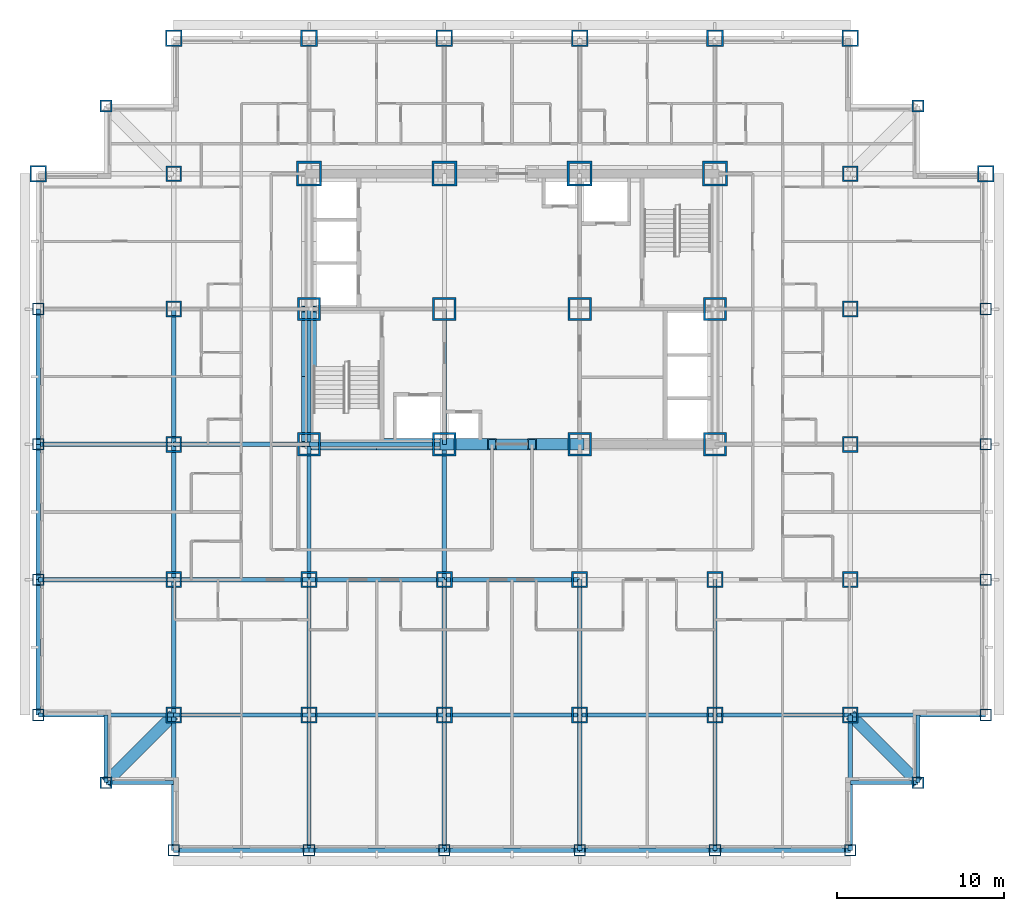
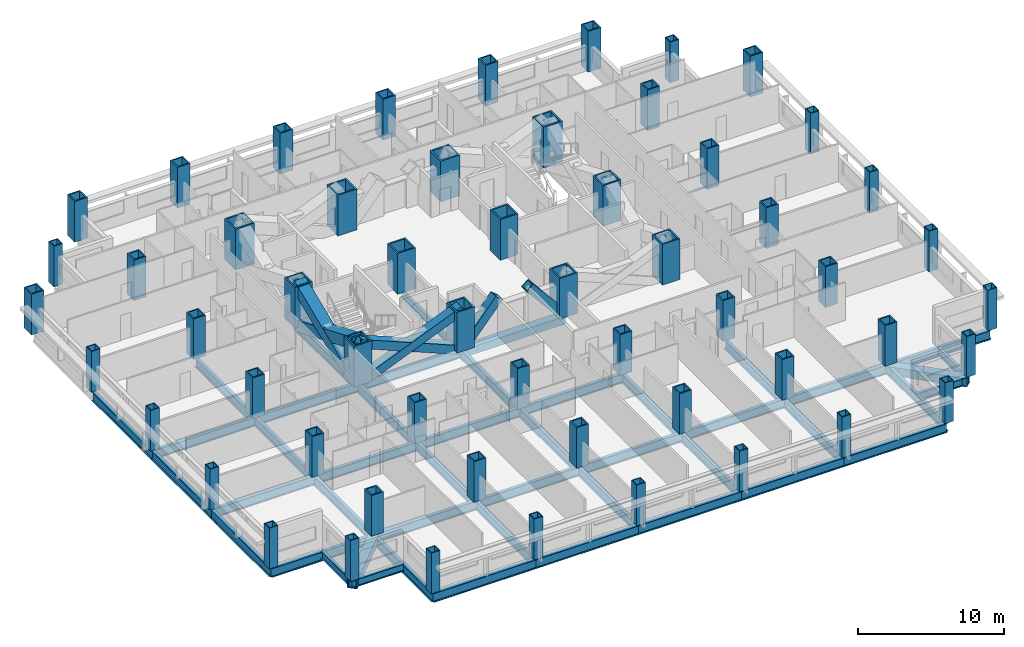
# One storey, part 1 of 12: 56 columns, 46 beams, 6 members.
"""IFC4 building model written with IfcOpenShell, lengths in metres."""

from ifc_helpers import new_model, si_unit, direction, frame, origin, origin_2d, place, context, subcontext, project, spatial, hollow_rectangle, i_section, extrude, material, material_profile, profile_set, type_object, element, save


model = new_model("IFC4")

# Units and contexts
model_context = context("Model", 3, precision=1e-05, world=origin(), true_north=direction((0.0, 1.0)))
body_context = subcontext(model_context, "Body", "Model", "MODEL_VIEW")
ifc_project = project(units=[si_unit("LENGTHUNIT", "METRE"), si_unit("AREAUNIT", "SQUARE_METRE"), si_unit("VOLUMEUNIT", "CUBIC_METRE"), si_unit("PLANEANGLEUNIT", "RADIAN"), si_unit("MASSUNIT", "GRAM", prefix="KILO")], contexts=[model_context])

# Site, building, storey
site_placement = place(None, origin())
site = spatial("IfcSite", under=ifc_project, at=site_placement, CompositionType="ELEMENT")
building_placement = place(site_placement, origin())
building = spatial("IfcBuilding", under=site, at=building_placement, Name="Kopane Lantern Tower", CompositionType="ELEMENT")
storey_placement = place(building_placement, frame((0.0, 0.0, 87.39990234375)))
storey = spatial("IfcBuildingStorey", under=building, at=storey_placement, Name="L22", CompositionType="ELEMENT", Elevation=87.39990234375)

# Columns
ifc_material_1 = material(Name="Steel S355JR", Category="steel")
ifc_material_profile_1 = material_profile(ifc_material_1, hollow_rectangle(XDim=1.0, YDim=1.0, WallThickness=0.10009765625, at=origin_2d()), Name="BOX 1000x1000x100")
ifc_profile_set_1 = profile_set([ifc_material_profile_1], Name="Steel S355JR")
column_type_1 = type_object("IfcColumnType", Name="COLUMN BOX 1000x1000x100", PredefinedType="COLUMN", material=ifc_profile_set_1)
for number, where, z_axis, x_axis, name in (
    (1, (0.0, 40.5, 0.0), (0.0, 0.0, 1.0), (1.0, 0.0, 0.0), "Column 2/G L22"),
    (2, (8.10009765625, 48.60009765625, 0.0), (0.0, 0.0, 1.0), (1.0, 0.0, 0.0), "Column 3/H L22"),
    (3, (16.199951171875, 48.60009765625, 0.0), (0.0, 0.0, 1.0), (1.0, 0.0, 0.0), "Column 4/H L22"),
    (4, (24.300048828125, 48.60009765625, 0.0), (0.0, 0.0, 1.0), (1.0, 0.0, 0.0), "Column 5/H L22"),
    (5, (32.39990234375, 48.60009765625, 0.0), (0.0, 0.0, 1.0), (1.0, 0.0, 0.0), "Column 6/H L22"),
    (6, (40.5, 48.60009765625, 0.0), (0.0, 0.0, 1.0), (1.0, 0.0, 0.0), "Column 7/H L22"),
    (7, (48.60009765625, 48.60009765625, 0.0), (0.0, 0.0, 1.0), (1.0, 0.0, 0.0), "Column 8/H L22"),
    (8, (56.699951171875, 40.5, 0.0), (0.0, 0.0, 1.0), (1.0, 0.0, 0.0), "Column 9/G L22"),
):
    element("IfcColumn", number, at=place(storey_placement, frame(where, z_axis=z_axis, x_axis=x_axis)), inside=storey, type_object=column_type_1, Name=name, PredefinedType="COLUMN", context=body_context, shape_type="SweptSolid", body=[
        extrude(hollow_rectangle(XDim=1.0, YDim=1.0, WallThickness=0.10009765625, at=origin_2d()), origin(), (0.0, 0.0, 1.0), 3.400146484375),
    ])
ifc_material_2 = material(Name="Steel S355JR", Category="steel")
ifc_material_profile_2 = material_profile(ifc_material_2, hollow_rectangle(XDim=1.39990234375, YDim=1.39990234375, WallThickness=0.1201171875, at=origin_2d()), Name="BOX 1400x1400x120")
ifc_profile_set_2 = profile_set([ifc_material_profile_2], Name="Steel S355JR")
column_type_2 = type_object("IfcColumnType", Name="COLUMN BOX 1400x1400x120", PredefinedType="COLUMN", material=ifc_profile_set_2)
for number, where, z_axis, x_axis, name in (
    (9, (16.199951171875, 24.300048828125, 0.0), (0.0, 0.0, 1.0), (1.0, 0.0, 0.0), "Column 4/E L22"),
    (10, (16.199951171875, 32.39990234375, 0.0), (0.0, 0.0, 1.0), (1.0, 0.0, 0.0), "Column 4/F L22"),
    (11, (24.300048828125, 24.300048828125, 0.0), (0.0, 0.0, 1.0), (1.0, 0.0, 0.0), "Column 5/E L22"),
    (12, (24.300048828125, 32.39990234375, 0.0), (0.0, 0.0, 1.0), (1.0, 0.0, 0.0), "Column 5/F L22"),
    (13, (32.39990234375, 24.300048828125, 0.0), (0.0, 0.0, 1.0), (1.0, 0.0, 0.0), "Column 6/E L22"),
    (14, (32.39990234375, 32.39990234375, 0.0), (0.0, 0.0, 1.0), (1.0, 0.0, 0.0), "Column 6/F L22"),
    (15, (40.5, 24.300048828125, 0.0), (0.0, 0.0, 1.0), (1.0, 0.0, 0.0), "Column 7/E L22"),
    (16, (40.5, 32.39990234375, 0.0), (0.0, 0.0, 1.0), (1.0, 0.0, 0.0), "Column 7/F L22"),
):
    element("IfcColumn", number, at=place(storey_placement, frame(where, z_axis=z_axis, x_axis=x_axis)), inside=storey, type_object=column_type_2, Name=name, PredefinedType="COLUMN", context=body_context, shape_type="SweptSolid", body=[
        extrude(hollow_rectangle(XDim=1.39990234375, YDim=1.39990234375, WallThickness=0.1201171875, at=origin_2d()), origin(), (0.0, 0.0, 1.0), 3.400146484375),
    ])
ifc_material_3 = material(Name="Steel S355JR", Category="steel")
ifc_material_profile_3 = material_profile(ifc_material_3, hollow_rectangle(XDim=1.5, YDim=1.5, WallThickness=0.1298828125, at=origin_2d()), Name="BOX 1500x1500x130")
ifc_profile_set_3 = profile_set([ifc_material_profile_3], Name="Steel S355JR")
column_type_3 = type_object("IfcColumnType", Name="COLUMN BOX 1500x1500x130", PredefinedType="COLUMN", material=ifc_profile_set_3)
for number, where, z_axis, x_axis, name in (
    (17, (16.199951171875, 40.5, 0.0), (0.0, 0.0, 1.0), (1.0, 0.0, 0.0), "Column 4/G L22"),
    (18, (24.300048828125, 40.5, 0.0), (0.0, 0.0, 1.0), (1.0, 0.0, 0.0), "Column 5/G L22"),
    (19, (32.39990234375, 40.5, 0.0), (0.0, 0.0, 1.0), (1.0, 0.0, 0.0), "Column 6/G L22"),
    (20, (40.5, 40.5, 0.0), (0.0, 0.0, 1.0), (1.0, 0.0, 0.0), "Column 7/G L22"),
):
    element("IfcColumn", number, at=place(storey_placement, frame(where, z_axis=z_axis, x_axis=x_axis)), inside=storey, type_object=column_type_3, Name=name, PredefinedType="COLUMN", context=body_context, shape_type="SweptSolid", body=[
        extrude(hollow_rectangle(XDim=1.5, YDim=1.5, WallThickness=0.1298828125, at=origin_2d()), origin(), (0.0, 0.0, 1.0), 3.400146484375),
    ])
ifc_material_4 = material(Name="Steel S355JR", Category="steel")
ifc_material_profile_4 = material_profile(ifc_material_4, hollow_rectangle(XDim=0.699951171875, YDim=0.699951171875, WallThickness=0.06005859375, at=origin_2d()), Name="BOX 700x700x60")
ifc_profile_set_4 = profile_set([ifc_material_profile_4], Name="Steel S355JR")
column_type_4 = type_object("IfcColumnType", Name="COLUMN BOX 700x700x60", PredefinedType="COLUMN", material=ifc_profile_set_4)
for number, where, z_axis, x_axis, name in (
    (21, (0.0, 8.10009765625, 0.0), (0.0, 0.0, 1.0), (1.0, 0.0, 0.0), "Column 2/C L22"),
    (22, (0.0, 16.199951171875, 0.0), (0.0, 0.0, 1.0), (1.0, 0.0, 0.0), "Column 2/D L22"),
    (23, (0.0, 24.300048828125, 0.0), (0.0, 0.0, 1.0), (1.0, 0.0, 0.0), "Column 2/E L22"),
    (24, (0.0, 32.39990234375, 0.0), (0.0, 0.0, 1.0), (1.0, 0.0, 0.0), "Column 2/F L22"),
    (25, (8.10009765625, 0.0, 0.0), (0.0, 0.0, 1.0), (1.0, 0.0, 0.0), "Column 3/B L22"),
    (26, (16.199951171875, 0.0, 0.0), (0.0, 0.0, 1.0), (1.0, 0.0, 0.0), "Column 4/B L22"),
    (27, (24.300048828125, 0.0, 0.0), (0.0, 0.0, 1.0), (1.0, 0.0, 0.0), "Column 5/B L22"),
    (28, (32.39990234375, 0.0, 0.0), (0.0, 0.0, 1.0), (1.0, 0.0, 0.0), "Column 6/B L22"),
    (29, (40.5, 0.0, 0.0), (0.0, 0.0, 1.0), (1.0, 0.0, 0.0), "Column 7/B L22"),
    (30, (48.60009765625, 0.0, 0.0), (0.0, 0.0, 1.0), (1.0, 0.0, 0.0), "Column 8/B L22"),
    (31, (56.699951171875, 8.10009765625, 0.0), (0.0, 0.0, 1.0), (1.0, 0.0, 0.0), "Column 9/C L22"),
    (32, (56.699951171875, 16.199951171875, 0.0), (0.0, 0.0, 1.0), (1.0, 0.0, 0.0), "Column 9/D L22"),
    (33, (56.699951171875, 24.300048828125, 0.0), (0.0, 0.0, 1.0), (1.0, 0.0, 0.0), "Column 9/E L22"),
    (34, (56.699951171875, 32.39990234375, 0.0), (0.0, 0.0, 1.0), (1.0, 0.0, 0.0), "Column 9/F L22"),
):
    element("IfcColumn", number, at=place(storey_placement, frame(where, z_axis=z_axis, x_axis=x_axis)), inside=storey, type_object=column_type_4, Name=name, PredefinedType="COLUMN", context=body_context, shape_type="SweptSolid", body=[
        extrude(hollow_rectangle(XDim=0.699951171875, YDim=0.699951171875, WallThickness=0.06005859375, at=origin_2d()), origin(), (0.0, 0.0, 1.0), 3.400146484375),
    ])
ifc_material_5 = material(Name="Steel S355JR", Category="steel")
ifc_material_profile_5 = material_profile(ifc_material_5, hollow_rectangle(XDim=0.699951171875, YDim=0.699951171875, WallThickness=0.070068359375, at=origin_2d()), Name="BOX 700x700x70")
ifc_profile_set_5 = profile_set([ifc_material_profile_5], Name="Steel S355JR")
column_type_5 = type_object("IfcColumnType", Name="COLUMN BOX 700x700x70", PredefinedType="COLUMN", material=ifc_profile_set_5)
for number, where, z_axis, x_axis, name in (
    (35, (4.050048828125, 4.050048828125, 0.0), (0.0, 0.0, 1.0), (1.0, 0.0, 0.0), "Column 4.05/4.05 L22"),
    (36, (4.050048828125, 44.550048828125, 0.0), (0.0, 0.0, 1.0), (1.0, 0.0, 0.0), "Column 4.05/44.55 L22"),
    (37, (52.64990234375, 4.050048828125, 0.0), (0.0, 0.0, 1.0), (1.0, 0.0, 0.0), "Column 52.65/4.05 L22"),
    (38, (52.64990234375, 44.550048828125, 0.0), (0.0, 0.0, 1.0), (1.0, 0.0, 0.0), "Column 52.65/44.55 L22"),
):
    element("IfcColumn", number, at=place(storey_placement, frame(where, z_axis=z_axis, x_axis=x_axis)), inside=storey, type_object=column_type_5, Name=name, PredefinedType="COLUMN", context=body_context, shape_type="SweptSolid", body=[
        extrude(hollow_rectangle(XDim=0.699951171875, YDim=0.699951171875, WallThickness=0.070068359375, at=origin_2d()), origin(), (0.0, 0.0, 1.0), 3.400146484375),
    ])
ifc_material_6 = material(Name="Steel S355JR", Category="steel")
ifc_material_profile_6 = material_profile(ifc_material_6, hollow_rectangle(XDim=0.949951171875, YDim=0.949951171875, WallThickness=0.094970703125, at=origin_2d()), Name="BOX 950x950x95")
ifc_profile_set_6 = profile_set([ifc_material_profile_6], Name="Steel S355JR")
column_type_6 = type_object("IfcColumnType", Name="COLUMN BOX 950x950x95", PredefinedType="COLUMN", material=ifc_profile_set_6)
for number, where, z_axis, x_axis, name in (
    (39, (8.10009765625, 8.10009765625, 0.0), (0.0, 0.0, 1.0), (1.0, 0.0, 0.0), "Column 3/C L22"),
    (40, (8.10009765625, 16.199951171875, 0.0), (0.0, 0.0, 1.0), (1.0, 0.0, 0.0), "Column 3/D L22"),
    (41, (8.10009765625, 24.300048828125, 0.0), (0.0, 0.0, 1.0), (1.0, 0.0, 0.0), "Column 3/E L22"),
    (42, (8.10009765625, 32.39990234375, 0.0), (0.0, 0.0, 1.0), (1.0, 0.0, 0.0), "Column 3/F L22"),
    (43, (8.10009765625, 40.5, 0.0), (0.0, 0.0, 1.0), (1.0, 0.0, 0.0), "Column 3/G L22"),
    (44, (16.199951171875, 8.10009765625, 0.0), (0.0, 0.0, 1.0), (1.0, 0.0, 0.0), "Column 4/C L22"),
    (45, (16.199951171875, 16.199951171875, 0.0), (0.0, 0.0, 1.0), (1.0, 0.0, 0.0), "Column 4/D L22"),
    (46, (24.300048828125, 8.10009765625, 0.0), (0.0, 0.0, 1.0), (1.0, 0.0, 0.0), "Column 5/C L22"),
    (47, (24.300048828125, 16.199951171875, 0.0), (0.0, 0.0, 1.0), (1.0, 0.0, 0.0), "Column 5/D L22"),
    (48, (32.39990234375, 8.10009765625, 0.0), (0.0, 0.0, 1.0), (1.0, 0.0, 0.0), "Column 6/C L22"),
    (49, (32.39990234375, 16.199951171875, 0.0), (0.0, 0.0, 1.0), (1.0, 0.0, 0.0), "Column 6/D L22"),
    (50, (40.5, 8.10009765625, 0.0), (0.0, 0.0, 1.0), (1.0, 0.0, 0.0), "Column 7/C L22"),
    (51, (40.5, 16.199951171875, 0.0), (0.0, 0.0, 1.0), (1.0, 0.0, 0.0), "Column 7/D L22"),
    (52, (48.60009765625, 8.10009765625, 0.0), (0.0, 0.0, 1.0), (1.0, 0.0, 0.0), "Column 8/C L22"),
    (53, (48.60009765625, 16.199951171875, 0.0), (0.0, 0.0, 1.0), (1.0, 0.0, 0.0), "Column 8/D L22"),
    (54, (48.60009765625, 24.300048828125, 0.0), (0.0, 0.0, 1.0), (1.0, 0.0, 0.0), "Column 8/E L22"),
    (55, (48.60009765625, 32.39990234375, 0.0), (0.0, 0.0, 1.0), (1.0, 0.0, 0.0), "Column 8/F L22"),
    (56, (48.60009765625, 40.5, 0.0), (0.0, 0.0, 1.0), (1.0, 0.0, 0.0), "Column 8/G L22"),
):
    element("IfcColumn", number, at=place(storey_placement, frame(where, z_axis=z_axis, x_axis=x_axis)), inside=storey, type_object=column_type_6, Name=name, PredefinedType="COLUMN", context=body_context, shape_type="SweptSolid", body=[
        extrude(hollow_rectangle(XDim=0.949951171875, YDim=0.949951171875, WallThickness=0.094970703125, at=origin_2d()), origin(), (0.0, 0.0, 1.0), 3.400146484375),
    ])

# Members
ifc_material_7 = material(Name="Steel S355JR", Category="steel")
ifc_material_profile_7 = material_profile(ifc_material_7, hollow_rectangle(XDim=0.699951171875, YDim=0.699951171875, WallThickness=0.06005859375, at=origin_2d()), Name="BOX 700x700x60")
ifc_profile_set_7 = profile_set([ifc_material_profile_7], Name="Steel S355JR")
member_type_1 = type_object("IfcMemberType", Name="BRACE BOX 700x700x60", PredefinedType="BRACE", material=ifc_profile_set_7)
for number, where, z_axis, x_axis, name in (
    (57, (16.199951171875, 24.300048828125, -0.2099609375), (0.923680358627, 0.0, 0.383163927174), (0.0, 1.0, 0.0), "Core brace L22"),
    (58, (24.300048828125, 24.300048828125, -0.2099609375), (-0.923680358627, 0.0, 0.383163927174), (0.0, -1.0, 0.0), "Core brace L22"),
):
    element("IfcMember", number, at=place(storey_placement, frame(where, z_axis=z_axis, x_axis=x_axis)), inside=storey, type_object=member_type_1, Name=name, PredefinedType="BRACE", context=body_context, shape_type="SweptSolid", body=[
        extrude(hollow_rectangle(XDim=0.699951171875, YDim=0.699951171875, WallThickness=0.06005859375, at=origin_2d()), origin(), (0.0, 0.0, 1.0), 8.769287109375),
    ])
for number, where, z_axis, x_axis, name in (
    (59, (24.300048828125, 24.300048828125, -0.2099609375), (0.646826109676, 0.0, 0.762637517987), (0.0, 1.0, 0.0), "Core brace L22"),
    (60, (32.39990234375, 24.300048828125, -0.2099609375), (-0.646826109676, 0.0, 0.762637517987), (0.0, -1.0, 0.0), "Core brace L22"),
):
    element("IfcMember", number, at=place(storey_placement, frame(where, z_axis=z_axis, x_axis=x_axis)), inside=storey, type_object=member_type_1, Name=name, PredefinedType="BRACE", context=body_context, shape_type="SweptSolid", body=[
        extrude(hollow_rectangle(XDim=0.699951171875, YDim=0.699951171875, WallThickness=0.06005859375, at=origin_2d()), origin(), (0.0, 0.0, 1.0), 4.406005859375),
    ])
ifc_material_8 = material(Name="Steel S355JR", Category="steel")
ifc_material_profile_8 = material_profile(ifc_material_8, hollow_rectangle(XDim=0.89990234375, YDim=0.89990234375, WallThickness=0.090087890625, at=origin_2d()), Name="BOX 900x900x90")
ifc_profile_set_8 = profile_set([ifc_material_profile_8], Name="Steel S355JR")
member_type_2 = type_object("IfcMemberType", Name="BRACE BOX 900x900x90", PredefinedType="BRACE", material=ifc_profile_set_8)
for number, where, z_axis, x_axis, name in (
    (61, (16.199951171875, 24.300048828125, -0.2099609375), (0.0, 0.923676271129, 0.383173780618), (-1.0, 0.0, 0.0), "Core brace L22"),
    (62, (16.199951171875, 32.39990234375, -0.2099609375), (0.0, -0.923676271129, 0.383173780618), (1.0, 0.0, 0.0), "Core brace L22"),
):
    element("IfcMember", number, at=place(storey_placement, frame(where, z_axis=z_axis, x_axis=x_axis)), inside=storey, type_object=member_type_2, Name=name, PredefinedType="BRACE", context=body_context, shape_type="SweptSolid", body=[
        extrude(hollow_rectangle(XDim=0.89990234375, YDim=0.89990234375, WallThickness=0.090087890625, at=origin_2d()), origin(), (0.0, 0.0, 1.0), 8.76904296875),
    ])

# Beams
ifc_material_9 = material(Name="Steel S355JR", Category="steel")
ifc_material_profile_9 = material_profile(ifc_material_9, i_section(OverallWidth=0.22900390625, OverallDepth=0.6123046875, WebThickness=0.011962890625, FlangeThickness=0.01953125, FilletRadius=0.0126953125, at=origin_2d()), Name="UB 610x229x125")
ifc_profile_set_9 = profile_set([ifc_material_profile_9], Name="Steel S355JR")
beam_type_1 = type_object("IfcBeamType", Name="CORE BEAM UB 610x229x125", PredefinedType="BEAM", material=ifc_profile_set_9)
beam_1_placement = place(storey_placement, frame((24.300048828125, 24.300048828125, -0.51611328125), z_axis=(0.0, 1.0, 0.0), x_axis=(-1.0, 0.0, 0.0)))
element("IfcBeam", 63, at=beam_1_placement, inside=storey, type_object=beam_type_1, Name="Core Beam L22", PredefinedType="BEAM", context=body_context, shape_type="SweptSolid", body=[
    extrude(i_section(OverallWidth=0.22900390625, OverallDepth=0.6123046875, WebThickness=0.011962890625, FlangeThickness=0.01953125, FilletRadius=0.0126953125, at=origin_2d()), origin(), (0.0, 0.0, 1.0), 8.099853515625),
])
ifc_material_10 = material(Name="Steel S355JR", Category="steel")
ifc_material_profile_10 = material_profile(ifc_material_10, hollow_rectangle(XDim=0.699951171875, YDim=0.699951171875, WallThickness=0.06005859375, at=origin_2d()), Name="BOX 700x700x60")
ifc_profile_set_10 = profile_set([ifc_material_profile_10], Name="Steel S355JR")
beam_type_2 = type_object("IfcBeamType", Name="CORNER TIE BEAM BOX 700x700x60", PredefinedType="BEAM", material=ifc_profile_set_10)
for number, where, z_axis, x_axis, name in (
    (64, (4.050048828125, 4.050048828125, -0.559814453125), (0.707106781187, 0.707106781187, 0.0), (-0.707106781187, 0.707106781187, 0.0), "Corner Tie Beam L22"),
    (65, (52.64990234375, 4.050048828125, -0.559814453125), (-0.707085467703, 0.707128094028, 0.0), (-0.707128094028, -0.707085467703, 0.0), "Corner Tie Beam L22"),
):
    element("IfcBeam", number, at=place(storey_placement, frame(where, z_axis=z_axis, x_axis=x_axis)), inside=storey, type_object=beam_type_2, Name=name, PredefinedType="BEAM", context=body_context, shape_type="SweptSolid", body=[
        extrude(hollow_rectangle(XDim=0.699951171875, YDim=0.699951171875, WallThickness=0.06005859375, at=origin_2d()), origin(), (0.0, 0.0, 1.0), 5.7275390625),
    ])
ifc_material_11 = material(Name="Steel S355JR", Category="steel")
ifc_material_profile_11 = material_profile(ifc_material_11, i_section(OverallWidth=0.22900390625, OverallDepth=0.6123046875, WebThickness=0.011962890625, FlangeThickness=0.01953125, FilletRadius=0.0126953125, at=origin_2d()), Name="UB 610x229x125")
ifc_profile_set_11 = profile_set([ifc_material_profile_11], Name="Steel S355JR")
beam_type_3 = type_object("IfcBeamType", Name="EDGE BEAM UB 610x229x125", PredefinedType="BEAM", material=ifc_profile_set_11)
for number, where, z_axis, x_axis, name in (
    (66, (4.050048828125, 4.050048828125, -0.51611328125), (0.0, 1.0, 0.0), (-1.0, 0.0, 0.0), "Edge Beam L22"),
    (67, (4.050048828125, 4.050048828125, -0.51611328125), (1.0, 0.0, 0.0), (0.0, 1.0, 0.0), "Edge Beam L22"),
):
    element("IfcBeam", number, at=place(storey_placement, frame(where, z_axis=z_axis, x_axis=x_axis)), inside=storey, type_object=beam_type_3, Name=name, PredefinedType="BEAM", context=body_context, shape_type="SweptSolid", body=[
        extrude(i_section(OverallWidth=0.22900390625, OverallDepth=0.6123046875, WebThickness=0.011962890625, FlangeThickness=0.01953125, FilletRadius=0.0126953125, at=origin_2d()), origin(), (0.0, 0.0, 1.0), 4.050048828125),
    ])
beam_2_placement = place(storey_placement, frame((52.64990234375, 4.050048828125, -0.51611328125), z_axis=(-1.0, 0.0, 0.0), x_axis=(0.0, -1.0, 0.0)))
element("IfcBeam", 68, at=beam_2_placement, inside=storey, type_object=beam_type_3, Name="Edge Beam L22", PredefinedType="BEAM", context=body_context, shape_type="SweptSolid", body=[
    extrude(i_section(OverallWidth=0.22900390625, OverallDepth=0.6123046875, WebThickness=0.011962890625, FlangeThickness=0.01953125, FilletRadius=0.0126953125, at=origin_2d()), origin(), (0.0, 0.0, 1.0), 4.0498046875),
])
beam_3_placement = place(storey_placement, frame((52.64990234375, 4.050048828125, -0.51611328125), z_axis=(0.0, 1.0, 0.0), x_axis=(-1.0, 0.0, 0.0)))
element("IfcBeam", 69, at=beam_3_placement, inside=storey, type_object=beam_type_3, Name="Edge Beam L22", PredefinedType="BEAM", context=body_context, shape_type="SweptSolid", body=[
    extrude(i_section(OverallWidth=0.22900390625, OverallDepth=0.6123046875, WebThickness=0.011962890625, FlangeThickness=0.01953125, FilletRadius=0.0126953125, at=origin_2d()), origin(), (0.0, 0.0, 1.0), 4.050048828125),
])
ifc_material_12 = material(Name="Steel S355JR", Category="steel")
ifc_material_profile_12 = material_profile(ifc_material_12, i_section(OverallWidth=0.2666015625, OverallDepth=0.76220703125, WebThickness=0.014404296875, FlangeThickness=0.021484375, FilletRadius=0.0166015625, at=origin_2d()), Name="UB 762x267x173")
ifc_profile_set_12 = profile_set([ifc_material_profile_12], Name="Steel S355JR")
beam_type_4 = type_object("IfcBeamType", Name="GIRDER UB 762x267x173", PredefinedType="BEAM", material=ifc_profile_set_12)
beam_4_placement = place(storey_placement, frame((0.0, 8.10009765625, -0.591064453125), z_axis=(0.0, 1.0, 0.0), x_axis=(-1.0, 0.0, 0.0)))
element("IfcBeam", 70, at=beam_4_placement, inside=storey, type_object=beam_type_4, Name="Girder L22", PredefinedType="BEAM", context=body_context, shape_type="SweptSolid", body=[
    extrude(i_section(OverallWidth=0.2666015625, OverallDepth=0.76220703125, WebThickness=0.014404296875, FlangeThickness=0.021484375, FilletRadius=0.0166015625, at=origin_2d()), origin(), (0.0, 0.0, 1.0), 8.099853515625),
])
for number, where, z_axis, x_axis, name in (
    (71, (0.0, 8.10009765625, -0.591064453125), (1.0, 0.0, 0.0), (0.0, 1.0, 0.0), "Girder L22"),
    (72, (0.0, 16.199951171875, -0.591064453125), (0.0, 1.0, 0.0), (-1.0, 0.0, 0.0), "Girder L22"),
    (73, (0.0, 16.199951171875, -0.591064453125), (1.0, 0.0, 0.0), (0.0, 1.0, 0.0), "Girder L22"),
):
    element("IfcBeam", number, at=place(storey_placement, frame(where, z_axis=z_axis, x_axis=x_axis)), inside=storey, type_object=beam_type_4, Name=name, PredefinedType="BEAM", context=body_context, shape_type="SweptSolid", body=[
        extrude(i_section(OverallWidth=0.2666015625, OverallDepth=0.76220703125, WebThickness=0.014404296875, FlangeThickness=0.021484375, FilletRadius=0.0166015625, at=origin_2d()), origin(), (0.0, 0.0, 1.0), 8.10009765625),
    ])
beam_5_placement = place(storey_placement, frame((0.0, 24.300048828125, -0.591064453125), z_axis=(0.0, 1.0, 0.0), x_axis=(-1.0, 0.0, 0.0)))
element("IfcBeam", 74, at=beam_5_placement, inside=storey, type_object=beam_type_4, Name="Girder L22", PredefinedType="BEAM", context=body_context, shape_type="SweptSolid", body=[
    extrude(i_section(OverallWidth=0.2666015625, OverallDepth=0.76220703125, WebThickness=0.014404296875, FlangeThickness=0.021484375, FilletRadius=0.0166015625, at=origin_2d()), origin(), (0.0, 0.0, 1.0), 8.099853515625),
])
for number, where, z_axis, x_axis, name in (
    (75, (0.0, 24.300048828125, -0.591064453125), (1.0, 0.0, 0.0), (0.0, 1.0, 0.0), "Girder L22"),
    (76, (8.10009765625, 0.0, -0.591064453125), (0.0, 1.0, 0.0), (-1.0, 0.0, 0.0), "Girder L22"),
):
    element("IfcBeam", number, at=place(storey_placement, frame(where, z_axis=z_axis, x_axis=x_axis)), inside=storey, type_object=beam_type_4, Name=name, PredefinedType="BEAM", context=body_context, shape_type="SweptSolid", body=[
        extrude(i_section(OverallWidth=0.2666015625, OverallDepth=0.76220703125, WebThickness=0.014404296875, FlangeThickness=0.021484375, FilletRadius=0.0166015625, at=origin_2d()), origin(), (0.0, 0.0, 1.0), 8.10009765625),
    ])
for number, where, z_axis, x_axis, name in (
    (77, (8.10009765625, 0.0, -0.591064453125), (1.0, 0.0, 0.0), (0.0, 1.0, 0.0), "Girder L22"),
    (78, (8.10009765625, 8.10009765625, -0.591064453125), (0.0, 1.0, 0.0), (-1.0, 0.0, 0.0), "Girder L22"),
    (79, (8.10009765625, 8.10009765625, -0.591064453125), (1.0, 0.0, 0.0), (0.0, 1.0, 0.0), "Girder L22"),
):
    element("IfcBeam", number, at=place(storey_placement, frame(where, z_axis=z_axis, x_axis=x_axis)), inside=storey, type_object=beam_type_4, Name=name, PredefinedType="BEAM", context=body_context, shape_type="SweptSolid", body=[
        extrude(i_section(OverallWidth=0.2666015625, OverallDepth=0.76220703125, WebThickness=0.014404296875, FlangeThickness=0.021484375, FilletRadius=0.0166015625, at=origin_2d()), origin(), (0.0, 0.0, 1.0), 8.099853515625),
    ])
beam_6_placement = place(storey_placement, frame((8.10009765625, 16.199951171875, -0.591064453125), z_axis=(0.0, 1.0, 0.0), x_axis=(-1.0, 0.0, 0.0)))
element("IfcBeam", 80, at=beam_6_placement, inside=storey, type_object=beam_type_4, Name="Girder L22", PredefinedType="BEAM", context=body_context, shape_type="SweptSolid", body=[
    extrude(i_section(OverallWidth=0.2666015625, OverallDepth=0.76220703125, WebThickness=0.014404296875, FlangeThickness=0.021484375, FilletRadius=0.0166015625, at=origin_2d()), origin(), (0.0, 0.0, 1.0), 8.10009765625),
])
for number, where, z_axis, x_axis, name in (
    (81, (8.10009765625, 16.199951171875, -0.591064453125), (1.0, 0.0, 0.0), (0.0, 1.0, 0.0), "Girder L22"),
    (82, (8.10009765625, 24.300048828125, -0.591064453125), (0.0, 1.0, 0.0), (-1.0, 0.0, 0.0), "Girder L22"),
    (83, (8.10009765625, 24.300048828125, -0.591064453125), (1.0, 0.0, 0.0), (0.0, 1.0, 0.0), "Girder L22"),
):
    element("IfcBeam", number, at=place(storey_placement, frame(where, z_axis=z_axis, x_axis=x_axis)), inside=storey, type_object=beam_type_4, Name=name, PredefinedType="BEAM", context=body_context, shape_type="SweptSolid", body=[
        extrude(i_section(OverallWidth=0.2666015625, OverallDepth=0.76220703125, WebThickness=0.014404296875, FlangeThickness=0.021484375, FilletRadius=0.0166015625, at=origin_2d()), origin(), (0.0, 0.0, 1.0), 8.099853515625),
    ])
for number, where, z_axis, x_axis, name in (
    (84, (16.199951171875, 0.0, -0.591064453125), (0.0, 1.0, 0.0), (-1.0, 0.0, 0.0), "Girder L22"),
    (85, (16.199951171875, 0.0, -0.591064453125), (1.0, 0.0, 0.0), (0.0, 1.0, 0.0), "Girder L22"),
):
    element("IfcBeam", number, at=place(storey_placement, frame(where, z_axis=z_axis, x_axis=x_axis)), inside=storey, type_object=beam_type_4, Name=name, PredefinedType="BEAM", context=body_context, shape_type="SweptSolid", body=[
        extrude(i_section(OverallWidth=0.2666015625, OverallDepth=0.76220703125, WebThickness=0.014404296875, FlangeThickness=0.021484375, FilletRadius=0.0166015625, at=origin_2d()), origin(), (0.0, 0.0, 1.0), 8.10009765625),
    ])
beam_7_placement = place(storey_placement, frame((16.199951171875, 8.10009765625, -0.591064453125), z_axis=(0.0, 1.0, 0.0), x_axis=(-1.0, 0.0, 0.0)))
element("IfcBeam", 86, at=beam_7_placement, inside=storey, type_object=beam_type_4, Name="Girder L22", PredefinedType="BEAM", context=body_context, shape_type="SweptSolid", body=[
    extrude(i_section(OverallWidth=0.2666015625, OverallDepth=0.76220703125, WebThickness=0.014404296875, FlangeThickness=0.021484375, FilletRadius=0.0166015625, at=origin_2d()), origin(), (0.0, 0.0, 1.0), 8.099853515625),
])
for number, where, z_axis, x_axis, name in (
    (87, (16.199951171875, 8.10009765625, -0.591064453125), (1.0, 0.0, 0.0), (0.0, 1.0, 0.0), "Girder L22"),
    (88, (16.199951171875, 16.199951171875, -0.591064453125), (0.0, 1.0, 0.0), (-1.0, 0.0, 0.0), "Girder L22"),
    (89, (16.199951171875, 16.199951171875, -0.591064453125), (1.0, 0.0, 0.0), (0.0, 1.0, 0.0), "Girder L22"),
):
    element("IfcBeam", number, at=place(storey_placement, frame(where, z_axis=z_axis, x_axis=x_axis)), inside=storey, type_object=beam_type_4, Name=name, PredefinedType="BEAM", context=body_context, shape_type="SweptSolid", body=[
        extrude(i_section(OverallWidth=0.2666015625, OverallDepth=0.76220703125, WebThickness=0.014404296875, FlangeThickness=0.021484375, FilletRadius=0.0166015625, at=origin_2d()), origin(), (0.0, 0.0, 1.0), 8.10009765625),
    ])
beam_8_placement = place(storey_placement, frame((16.199951171875, 24.300048828125, -0.591064453125), z_axis=(0.0, 1.0, 0.0), x_axis=(-1.0, 0.0, 0.0)))
element("IfcBeam", 90, at=beam_8_placement, inside=storey, type_object=beam_type_4, Name="Girder L22", PredefinedType="BEAM", context=body_context, shape_type="SweptSolid", body=[
    extrude(i_section(OverallWidth=0.2666015625, OverallDepth=0.76220703125, WebThickness=0.014404296875, FlangeThickness=0.021484375, FilletRadius=0.0166015625, at=origin_2d()), origin(), (0.0, 0.0, 1.0), 8.099853515625),
])
for number, where, z_axis, x_axis, name in (
    (91, (16.199951171875, 24.300048828125, -0.591064453125), (1.0, 0.0, 0.0), (0.0, 1.0, 0.0), "Girder L22"),
    (92, (24.300048828125, 0.0, -0.591064453125), (0.0, 1.0, 0.0), (-1.0, 0.0, 0.0), "Girder L22"),
):
    element("IfcBeam", number, at=place(storey_placement, frame(where, z_axis=z_axis, x_axis=x_axis)), inside=storey, type_object=beam_type_4, Name=name, PredefinedType="BEAM", context=body_context, shape_type="SweptSolid", body=[
        extrude(i_section(OverallWidth=0.2666015625, OverallDepth=0.76220703125, WebThickness=0.014404296875, FlangeThickness=0.021484375, FilletRadius=0.0166015625, at=origin_2d()), origin(), (0.0, 0.0, 1.0), 8.10009765625),
    ])
for number, where, z_axis, x_axis, name in (
    (93, (24.300048828125, 0.0, -0.591064453125), (1.0, 0.0, 0.0), (0.0, 1.0, 0.0), "Girder L22"),
    (94, (24.300048828125, 8.10009765625, -0.591064453125), (0.0, 1.0, 0.0), (-1.0, 0.0, 0.0), "Girder L22"),
    (95, (24.300048828125, 8.10009765625, -0.591064453125), (1.0, 0.0, 0.0), (0.0, 1.0, 0.0), "Girder L22"),
):
    element("IfcBeam", number, at=place(storey_placement, frame(where, z_axis=z_axis, x_axis=x_axis)), inside=storey, type_object=beam_type_4, Name=name, PredefinedType="BEAM", context=body_context, shape_type="SweptSolid", body=[
        extrude(i_section(OverallWidth=0.2666015625, OverallDepth=0.76220703125, WebThickness=0.014404296875, FlangeThickness=0.021484375, FilletRadius=0.0166015625, at=origin_2d()), origin(), (0.0, 0.0, 1.0), 8.099853515625),
    ])
beam_9_placement = place(storey_placement, frame((24.300048828125, 16.199951171875, -0.591064453125), z_axis=(0.0, 1.0, 0.0), x_axis=(-1.0, 0.0, 0.0)))
element("IfcBeam", 96, at=beam_9_placement, inside=storey, type_object=beam_type_4, Name="Girder L22", PredefinedType="BEAM", context=body_context, shape_type="SweptSolid", body=[
    extrude(i_section(OverallWidth=0.2666015625, OverallDepth=0.76220703125, WebThickness=0.014404296875, FlangeThickness=0.021484375, FilletRadius=0.0166015625, at=origin_2d()), origin(), (0.0, 0.0, 1.0), 8.10009765625),
])
beam_10_placement = place(storey_placement, frame((24.300048828125, 16.199951171875, -0.591064453125), z_axis=(1.0, 0.0, 0.0), x_axis=(0.0, 1.0, 0.0)))
element("IfcBeam", 97, at=beam_10_placement, inside=storey, type_object=beam_type_4, Name="Girder L22", PredefinedType="BEAM", context=body_context, shape_type="SweptSolid", body=[
    extrude(i_section(OverallWidth=0.2666015625, OverallDepth=0.76220703125, WebThickness=0.014404296875, FlangeThickness=0.021484375, FilletRadius=0.0166015625, at=origin_2d()), origin(), (0.0, 0.0, 1.0), 8.099853515625),
])
for number, where, z_axis, x_axis, name in (
    (98, (32.39990234375, 0.0, -0.591064453125), (0.0, 1.0, 0.0), (-1.0, 0.0, 0.0), "Girder L22"),
    (99, (32.39990234375, 0.0, -0.591064453125), (1.0, 0.0, 0.0), (0.0, 1.0, 0.0), "Girder L22"),
):
    element("IfcBeam", number, at=place(storey_placement, frame(where, z_axis=z_axis, x_axis=x_axis)), inside=storey, type_object=beam_type_4, Name=name, PredefinedType="BEAM", context=body_context, shape_type="SweptSolid", body=[
        extrude(i_section(OverallWidth=0.2666015625, OverallDepth=0.76220703125, WebThickness=0.014404296875, FlangeThickness=0.021484375, FilletRadius=0.0166015625, at=origin_2d()), origin(), (0.0, 0.0, 1.0), 8.10009765625),
    ])
beam_11_placement = place(storey_placement, frame((32.39990234375, 8.10009765625, -0.591064453125), z_axis=(0.0, 1.0, 0.0), x_axis=(-1.0, 0.0, 0.0)))
element("IfcBeam", 100, at=beam_11_placement, inside=storey, type_object=beam_type_4, Name="Girder L22", PredefinedType="BEAM", context=body_context, shape_type="SweptSolid", body=[
    extrude(i_section(OverallWidth=0.2666015625, OverallDepth=0.76220703125, WebThickness=0.014404296875, FlangeThickness=0.021484375, FilletRadius=0.0166015625, at=origin_2d()), origin(), (0.0, 0.0, 1.0), 8.099853515625),
])
for number, where, z_axis, x_axis, name in (
    (101, (32.39990234375, 8.10009765625, -0.591064453125), (1.0, 0.0, 0.0), (0.0, 1.0, 0.0), "Girder L22"),
    (102, (40.5, 0.0, -0.591064453125), (0.0, 1.0, 0.0), (-1.0, 0.0, 0.0), "Girder L22"),
    (103, (40.5, 0.0, -0.591064453125), (1.0, 0.0, 0.0), (0.0, 1.0, 0.0), "Girder L22"),
):
    element("IfcBeam", number, at=place(storey_placement, frame(where, z_axis=z_axis, x_axis=x_axis)), inside=storey, type_object=beam_type_4, Name=name, PredefinedType="BEAM", context=body_context, shape_type="SweptSolid", body=[
        extrude(i_section(OverallWidth=0.2666015625, OverallDepth=0.76220703125, WebThickness=0.014404296875, FlangeThickness=0.021484375, FilletRadius=0.0166015625, at=origin_2d()), origin(), (0.0, 0.0, 1.0), 8.10009765625),
    ])
beam_12_placement = place(storey_placement, frame((40.5, 8.10009765625, -0.591064453125), z_axis=(0.0, 1.0, 0.0), x_axis=(-1.0, 0.0, 0.0)))
element("IfcBeam", 104, at=beam_12_placement, inside=storey, type_object=beam_type_4, Name="Girder L22", PredefinedType="BEAM", context=body_context, shape_type="SweptSolid", body=[
    extrude(i_section(OverallWidth=0.2666015625, OverallDepth=0.76220703125, WebThickness=0.014404296875, FlangeThickness=0.021484375, FilletRadius=0.0166015625, at=origin_2d()), origin(), (0.0, 0.0, 1.0), 8.099853515625),
])
for number, where, z_axis, x_axis, name in (
    (105, (40.5, 8.10009765625, -0.591064453125), (1.0, 0.0, 0.0), (0.0, 1.0, 0.0), "Girder L22"),
    (106, (48.60009765625, 0.0, -0.591064453125), (0.0, 1.0, 0.0), (-1.0, 0.0, 0.0), "Girder L22"),
):
    element("IfcBeam", number, at=place(storey_placement, frame(where, z_axis=z_axis, x_axis=x_axis)), inside=storey, type_object=beam_type_4, Name=name, PredefinedType="BEAM", context=body_context, shape_type="SweptSolid", body=[
        extrude(i_section(OverallWidth=0.2666015625, OverallDepth=0.76220703125, WebThickness=0.014404296875, FlangeThickness=0.021484375, FilletRadius=0.0166015625, at=origin_2d()), origin(), (0.0, 0.0, 1.0), 8.10009765625),
    ])
beam_13_placement = place(storey_placement, frame((48.60009765625, 8.10009765625, -0.591064453125), z_axis=(1.0, 0.0, 0.0), x_axis=(0.0, 1.0, 0.0)))
element("IfcBeam", 107, at=beam_13_placement, inside=storey, type_object=beam_type_4, Name="Girder L22", PredefinedType="BEAM", context=body_context, shape_type="SweptSolid", body=[
    extrude(i_section(OverallWidth=0.2666015625, OverallDepth=0.76220703125, WebThickness=0.014404296875, FlangeThickness=0.021484375, FilletRadius=0.0166015625, at=origin_2d()), origin(), (0.0, 0.0, 1.0), 8.099853515625),
])
ifc_material_13 = material(Name="Steel S355JR", Category="steel")
ifc_material_profile_13 = material_profile(ifc_material_13, hollow_rectangle(XDim=0.64990234375, YDim=0.64990234375, WallThickness=0.070068359375, at=origin_2d()), Name="BOX 650x650x70")
ifc_profile_set_13 = profile_set([ifc_material_profile_13], Name="Steel S355JR")
beam_type_5 = type_object("IfcBeamType", Name="LINK BEAM BOX 650x650x70", PredefinedType="BEAM", material=ifc_profile_set_13)
beam_14_placement = place(storey_placement, frame((24.300048828125, 24.300048828125, -0.534912109375), z_axis=(1.0, 0.0, 0.0), x_axis=(0.0, 1.0, 0.0)))
element("IfcBeam", 108, at=beam_14_placement, inside=storey, type_object=beam_type_5, Name="Link Beam L22", PredefinedType="BEAM", context=body_context, shape_type="SweptSolid", body=[
    extrude(hollow_rectangle(XDim=0.64990234375, YDim=0.64990234375, WallThickness=0.070068359375, at=origin_2d()), origin(), (0.0, 0.0, 1.0), 8.099853515625),
])

save(model, "model.ifc")
